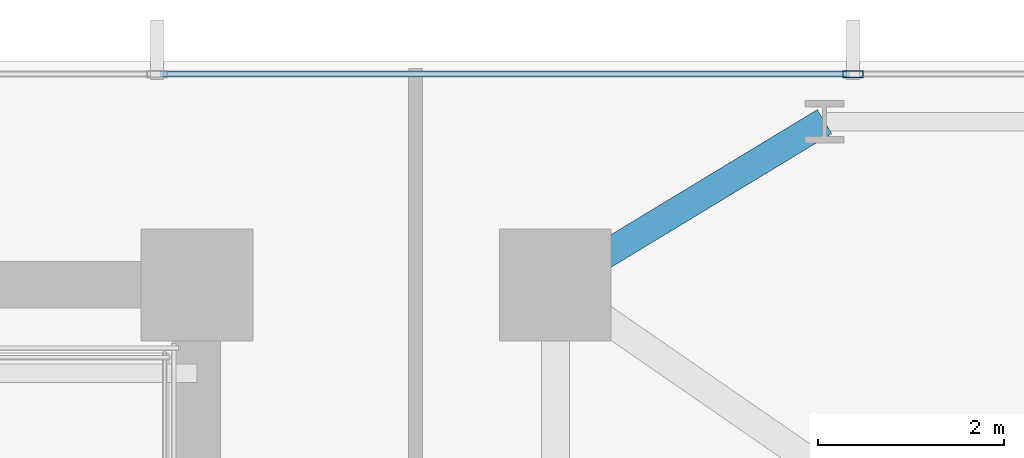
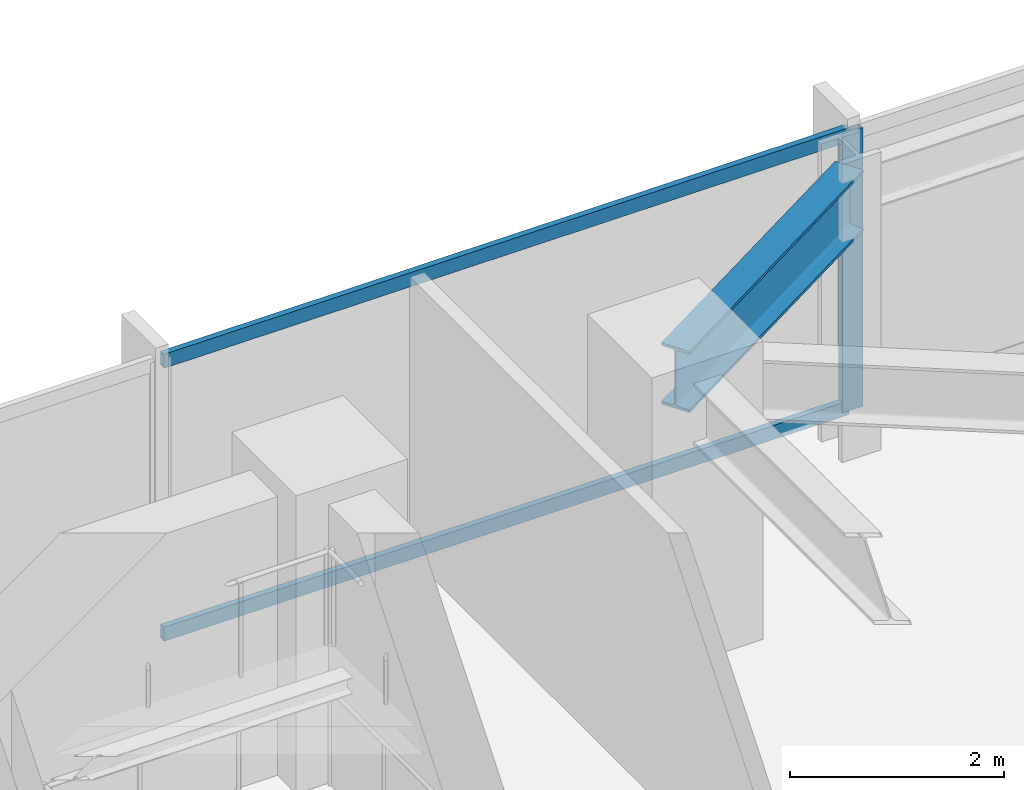
# One storey, part 20 of 32: 3 members, 1 beam, 1 element without a shape of its own.
"""IFC4 building model written with IfcOpenShell, lengths in metres."""

from ifc_helpers import new_model, si_unit, direction, frame, origin, origin_2d, place, context, subcontext, project, spatial, hollow_rectangle, i_section, extrude, material, material_profile, profile_set, type_object, element, aggregate, save


model = new_model("IFC4")

# Units and contexts
model_context = context("Model", 3, precision=1e-05, world=origin(), true_north=direction((0.0, 1.0)))
body_context = subcontext(model_context, "Body", "Model", "MODEL_VIEW")
ifc_project = project(units=[si_unit("LENGTHUNIT", "METRE"), si_unit("AREAUNIT", "SQUARE_METRE"), si_unit("VOLUMEUNIT", "CUBIC_METRE"), si_unit("PLANEANGLEUNIT", "RADIAN"), si_unit("MASSUNIT", "GRAM", prefix="KILO")], contexts=[model_context])

# Site, building, storey
site_placement = place(None, origin())
site = spatial("IfcSite", under=ifc_project, at=site_placement, CompositionType="ELEMENT")
building_placement = place(site_placement, origin())
building = spatial("IfcBuilding", under=site, at=building_placement, Name="Yelkora Congress Tower", CompositionType="ELEMENT")
storey_placement = place(building_placement, frame((0.0, 0.0, 44.0)))
storey = spatial("IfcBuildingStorey", under=building, at=storey_placement, Name="L10", CompositionType="ELEMENT", Elevation=44.0)

# Beam
ifc_material_1 = material(Name="Steel S355J2", Category="steel")
ifc_material_profile_1 = material_profile(ifc_material_1, i_section(OverallWidth=0.300048828125, OverallDepth=0.699951171875, WebThickness=0.01708984375, FlangeThickness=0.031982421875, FilletRadius=0.027099609375, at=origin_2d()), Name="HEB 700")
ifc_profile_set_1 = profile_set([ifc_material_profile_1], Name="Steel S355J2")
beam_type = type_object("IfcBeamType", Name="BM-GIRD-HEB700", PredefinedType="BEAM", material=ifc_profile_set_1)
beam_placement = place(storey_placement, frame((60.487548828125, 47.949951171875, 2.830078125), z_axis=(-0.855193946581, -0.518308126244, 0.0), x_axis=(0.518308126244, -0.855193946581, 0.0)))
element("IfcBeam", 1, at=beam_placement, inside=storey, type_object=beam_type, Name="L10 Primary Frame Girder N08", PredefinedType="BEAM", context=body_context, shape_type="SweptSolid", body=[
    extrude(i_section(OverallWidth=0.300048828125, OverallDepth=0.699951171875, WebThickness=0.01708984375, FlangeThickness=0.031982421875, FilletRadius=0.027099609375, at=origin_2d()), origin(), (0.0, 0.0, 1.0), 3.37646484375),
])

# Curtain wall, members
ifc_material_2 = material(Name="Anodised aluminium and insulated glass", Category="aluminium")
curtain_wall_type = type_object("IfcCurtainWallType", Name="CW-SYS-B1", PredefinedType="NOTDEFINED", material=ifc_material_2)
curtain_wall_placement = place(storey_placement, origin())
curtain_wall = element("IfcCurtainWall", 2, at=curtain_wall_placement, inside=storey, type_object=curtain_wall_type, Name="L10 Unitised Curtain Wall 10", PredefinedType="NOTDEFINED")
ifc_material_3 = material(Name="Anodised aluminium 6063-T6", Category="aluminium")
ifc_material_profile_2 = material_profile(ifc_material_3, hollow_rectangle(XDim=0.074951171875, YDim=0.219970703125, WallThickness=0.0048828125, at=origin_2d()), Name="ALU 75x220x5")
ifc_profile_set_2 = profile_set([ifc_material_profile_2], Name="Anodised aluminium 6063-T6")
member_type_1 = type_object("IfcMemberType", Name="MEM-ML-B1", PredefinedType="MULLION", material=ifc_profile_set_2)
member_1_placement = place(storey_placement, frame((60.794921875, 48.4599609375, 0.0), z_axis=(0.0, 0.0, 1.0), x_axis=(0.0, 1.0, 0.0)))
member_1 = element("IfcMember", 3, at=member_1_placement, type_object=member_type_1, Name="CW-B1 mullion 8", PredefinedType="MULLION", context=body_context, shape_type="SweptSolid", body=[
    extrude(hollow_rectangle(XDim=0.074951171875, YDim=0.219970703125, WallThickness=0.0048828125, at=origin_2d()), origin(), (0.0, 0.0, 1.0), 3.179931640625),
])
ifc_material_profile_3 = material_profile(ifc_material_3, hollow_rectangle(XDim=0.06494140625, YDim=0.159912109375, WallThickness=0.00390625, at=origin_2d()), Name="ALU 65x160x4")
ifc_profile_set_3 = profile_set([ifc_material_profile_3], Name="Anodised aluminium 6063-T6")
member_type_2 = type_object("IfcMemberType", Name="MEM-TR-B1", PredefinedType="USERDEFINED", material=ifc_profile_set_3)
member_2_placement = place(storey_placement, frame((53.367431640625, 48.4599609375, 0.032470703125), z_axis=(1.0, 0.0, 0.0), x_axis=(0.0, 1.0, 0.0)))
member_2 = element("IfcMember", 4, at=member_2_placement, type_object=member_type_2, Name="CW-B1 transom 7.1", ObjectType="TRANSOM", PredefinedType="USERDEFINED", context=body_context, shape_type="SweptSolid", body=[
    extrude(hollow_rectangle(XDim=0.06494140625, YDim=0.159912109375, WallThickness=0.00390625, at=origin_2d()), origin(), (0.0, 0.0, 1.0), 7.39013671875),
])
member_3_placement = place(storey_placement, frame((53.367431640625, 48.4599609375, 3.1474609375), z_axis=(1.0, 0.0, 0.0), x_axis=(0.0, 1.0, 0.0)))
member_3 = element("IfcMember", 5, at=member_3_placement, type_object=member_type_2, Name="CW-B1 transom 7.2", ObjectType="TRANSOM", PredefinedType="USERDEFINED", context=body_context, shape_type="SweptSolid", body=[
    extrude(hollow_rectangle(XDim=0.06494140625, YDim=0.159912109375, WallThickness=0.00390625, at=origin_2d()), origin(), (0.0, 0.0, 1.0), 7.39013671875),
])
aggregate(curtain_wall, [member_1, member_2, member_3])

save(model, "model.ifc")
